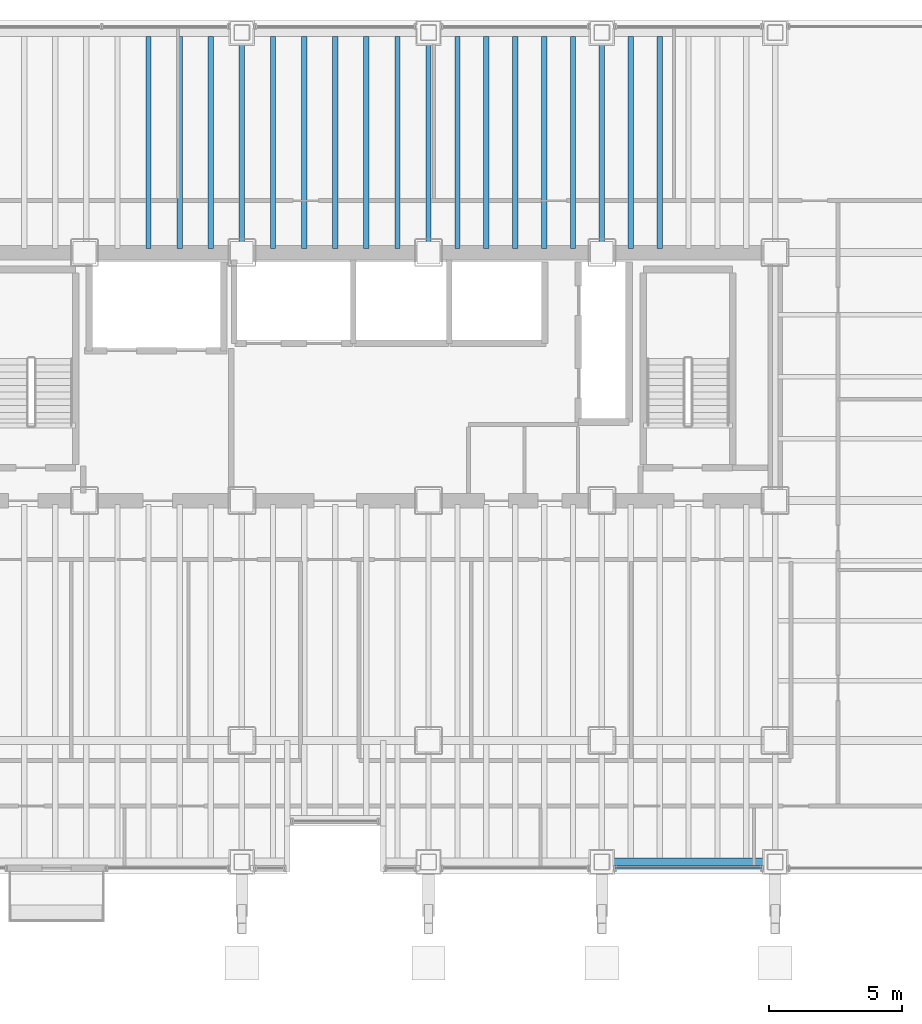
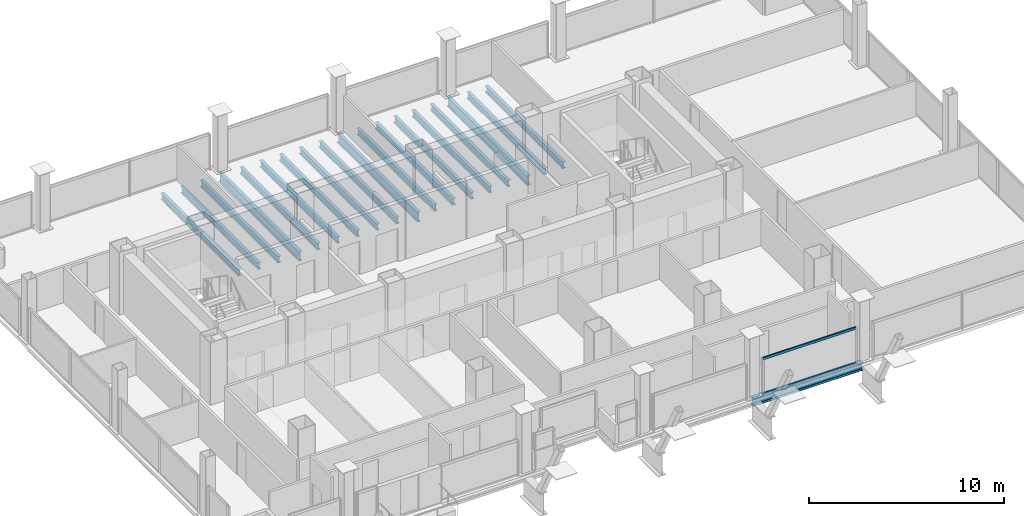
# One storey, part 7 of 21: 19 beams, 2 members, 1 element without a shape of its own.
"""IFC4 building model written with IfcOpenShell, lengths in metres."""

from ifc_helpers import new_model, si_unit, direction, frame, origin, origin_2d, place, context, subcontext, project, spatial, hollow_rectangle, i_section, extrude, material, material_profile, profile_set, type_object, element, aggregate, save


model = new_model("IFC4")

# Units and contexts
model_context = context("Model", 3, precision=1e-05, world=origin(), true_north=direction((0.0, 1.0)))
body_context = subcontext(model_context, "Body", "Model", "MODEL_VIEW")
ifc_project = project(units=[si_unit("LENGTHUNIT", "METRE"), si_unit("AREAUNIT", "SQUARE_METRE"), si_unit("VOLUMEUNIT", "CUBIC_METRE"), si_unit("PLANEANGLEUNIT", "RADIAN"), si_unit("MASSUNIT", "GRAM", prefix="KILO")], contexts=[model_context])

# Site, building, storey
site_placement = place(None, origin())
site = spatial("IfcSite", under=ifc_project, at=site_placement, CompositionType="ELEMENT")
building_placement = place(site_placement, origin())
building = spatial("IfcBuilding", under=site, at=building_placement, Name="Noeulbin Bourse Tower", CompositionType="ELEMENT")
storey_placement = place(building_placement, frame((0.0, 0.0, 77.199951171875)))
storey = spatial("IfcBuildingStorey", under=building, at=storey_placement, Name="L19", CompositionType="ELEMENT", Elevation=77.199951171875)

# Beams
ifc_material_1 = material(Name="Steel S355", Category="steel")
ifc_material_profile_1 = material_profile(ifc_material_1, i_section(OverallWidth=0.199951171875, OverallDepth=0.60009765625, WebThickness=0.010986328125, FlangeThickness=0.01708984375, FilletRadius=0.02197265625, at=origin_2d()), Name="H-600x200x11x17", Category="LoadBearing")
ifc_profile_set_1 = profile_set([ifc_material_profile_1], Name="Steel S355")
beam_type_1 = type_object("IfcBeamType", Name="BM-GRD-600", PredefinedType="USERDEFINED", material=ifc_profile_set_1)
for number, where, z_axis, x_axis, name in (
    (1, (24.0, 38.300048828125, -0.47998046875), (0.0, 1.0, 0.0), (-1.0, 0.0, 0.0), "Tower Primary Girder NS L19-2.4"),
    (2, (31.0, 38.300048828125, -0.47998046875), (0.0, 1.0, 0.0), (-1.0, 0.0, 0.0), "Tower Primary Girder NS L19-3.4"),
    (3, (37.5, 38.300048828125, -0.47998046875), (0.0, 1.0, 0.0), (-1.0, 0.0, 0.0), "Tower Primary Girder NS L19-4.4"),
):
    element("IfcBeam", number, at=place(storey_placement, frame(where, z_axis=z_axis, x_axis=x_axis)), inside=storey, type_object=beam_type_1, Name=name, ObjectType="GIRDER", PredefinedType="USERDEFINED", context=body_context, shape_type="SweptSolid", body=[
        extrude(i_section(OverallWidth=0.199951171875, OverallDepth=0.60009765625, WebThickness=0.010986328125, FlangeThickness=0.01708984375, FilletRadius=0.02197265625, at=origin_2d()), origin(), (0.0, 0.0, 1.0), 8.25),
    ])
ifc_material_profile_2 = material_profile(ifc_material_1, i_section(OverallWidth=0.199951171875, OverallDepth=0.39990234375, WebThickness=0.008056640625, FlangeThickness=0.012939453125, FilletRadius=0.01611328125, at=origin_2d()), Name="H-400x200x8x13", Category="LoadBearing")
ifc_profile_set_2 = profile_set([ifc_material_profile_2], Name="Steel S355")
beam_type_2 = type_object("IfcBeamType", Name="BM-SEC-400", PredefinedType="BEAM", material=ifc_profile_set_2)
for number, where, z_axis, x_axis, name in (
    (4, (20.5, 38.449951171875, -0.3798828125), (0.0, 1.0, 0.0), (-1.0, 0.0, 0.0), "Tower Composite Joist L19-18"),
    (5, (21.666748046875, 38.449951171875, -0.3798828125), (0.0, 1.0, 0.0), (-1.0, 0.0, 0.0), "Tower Composite Joist L19-21"),
    (6, (22.833251953125, 38.449951171875, -0.3798828125), (0.0, 1.0, 0.0), (-1.0, 0.0, 0.0), "Tower Composite Joist L19-24"),
    (7, (25.166748046875, 38.449951171875, -0.3798828125), (0.0, 1.0, 0.0), (-1.0, 0.0, 0.0), "Tower Composite Joist L19-27"),
    (8, (26.333251953125, 38.449951171875, -0.3798828125), (0.0, 1.0, 0.0), (-1.0, 0.0, 0.0), "Tower Composite Joist L19-30"),
    (9, (27.5, 38.449951171875, -0.3798828125), (0.0, 1.0, 0.0), (-1.0, 0.0, 0.0), "Tower Composite Joist L19-33"),
    (10, (28.666748046875, 38.449951171875, -0.3798828125), (0.0, 1.0, 0.0), (-1.0, 0.0, 0.0), "Tower Composite Joist L19-36"),
    (11, (29.833251953125, 38.449951171875, -0.3798828125), (0.0, 1.0, 0.0), (-1.0, 0.0, 0.0), "Tower Composite Joist L19-39"),
    (12, (32.083251953125, 38.449951171875, -0.3798828125), (0.0, 1.0, 0.0), (-1.0, 0.0, 0.0), "Tower Composite Joist L19-42"),
    (13, (33.166748046875, 38.449951171875, -0.3798828125), (0.0, 1.0, 0.0), (-1.0, 0.0, 0.0), "Tower Composite Joist L19-45"),
    (14, (34.25, 38.449951171875, -0.3798828125), (0.0, 1.0, 0.0), (-1.0, 0.0, 0.0), "Tower Composite Joist L19-48"),
    (15, (35.333251953125, 38.449951171875, -0.3798828125), (0.0, 1.0, 0.0), (-1.0, 0.0, 0.0), "Tower Composite Joist L19-51"),
    (16, (36.416748046875, 38.449951171875, -0.3798828125), (0.0, 1.0, 0.0), (-1.0, 0.0, 0.0), "Tower Composite Joist L19-54"),
    (17, (38.583251953125, 38.449951171875, -0.3798828125), (0.0, 1.0, 0.0), (-1.0, 0.0, 0.0), "Tower Composite Joist L19-57"),
    (18, (39.666748046875, 38.449951171875, -0.3798828125), (0.0, 1.0, 0.0), (-1.0, 0.0, 0.0), "Tower Composite Joist L19-60"),
):
    element("IfcBeam", number, at=place(storey_placement, frame(where, z_axis=z_axis, x_axis=x_axis)), inside=storey, type_object=beam_type_2, Name=name, PredefinedType="BEAM", context=body_context, shape_type="SweptSolid", body=[
        extrude(i_section(OverallWidth=0.199951171875, OverallDepth=0.39990234375, WebThickness=0.008056640625, FlangeThickness=0.012939453125, FilletRadius=0.01611328125, at=origin_2d()), origin(), (0.0, 0.0, 1.0), 7.949951171875),
    ])
ifc_material_profile_3 = material_profile(ifc_material_1, i_section(OverallWidth=0.300048828125, OverallDepth=0.488037109375, WebThickness=0.010986328125, FlangeThickness=0.01806640625, FilletRadius=0.02197265625, at=origin_2d()), Name="H-488x300x11x18", Category="LoadBearing")
ifc_profile_set_3 = profile_set([ifc_material_profile_3], Name="Steel S355")
beam_type_3 = type_object("IfcBeamType", Name="BM-SPN-488", PredefinedType="SPANDREL", material=ifc_profile_set_3)
beam_placement = place(storey_placement, frame((37.5, 15.449951171875, -0.424072265625), z_axis=(1.0, 0.0, 0.0), x_axis=(0.0, 1.0, 0.0)))
element("IfcBeam", 19, at=beam_placement, inside=storey, type_object=beam_type_3, Name="South Spandrel L19-4", PredefinedType="SPANDREL", context=body_context, shape_type="SweptSolid", body=[
    extrude(i_section(OverallWidth=0.300048828125, OverallDepth=0.488037109375, WebThickness=0.010986328125, FlangeThickness=0.01806640625, FilletRadius=0.02197265625, at=origin_2d()), origin(), (0.0, 0.0, 1.0), 6.5),
])

# Curtain wall, members
ifc_material_2 = material(Name="Dark Solar-Control Double Glazing", Category="glass")
curtain_wall_type = type_object("IfcCurtainWallType", Name="CW-SYS-2", PredefinedType="NOTDEFINED", material=ifc_material_2)
curtain_wall_placement = place(storey_placement, origin())
curtain_wall = element("IfcCurtainWall", 20, at=curtain_wall_placement, inside=storey, type_object=curtain_wall_type, Name="Unitised Curtain Wall CW-L19-S3-S3", PredefinedType="NOTDEFINED")
ifc_material_3 = material(Name="Anodised Aluminium 6063-T6", Category="aluminium")
ifc_material_profile_4 = material_profile(ifc_material_3, hollow_rectangle(XDim=0.074951171875, YDim=0.159912109375, WallThickness=0.0048828125, InnerFilletRadius=0.00244140625, OuterFilletRadius=0.0048828125, at=origin_2d()), Name="ALU-TRAN-75x160x5", Category="LoadBearing")
ifc_profile_set_4 = profile_set([ifc_material_profile_4], Name="Anodised Aluminium 6063-T6")
member_type = type_object("IfcMemberType", Name="CW-SYS-2-TRN", PredefinedType="USERDEFINED", material=ifc_profile_set_4)
member_1_placement = place(storey_placement, frame((38.010009765625, 15.219970703125, 0.010009765625), z_axis=(1.0, 0.0, 0.0), x_axis=(0.0, 1.0, 0.0)))
member_1 = element("IfcMember", 21, at=member_1_placement, type_object=member_type, Name="Curtain Wall Transom CW-L19-S3-S3-T00", ObjectType="TRANSOM", PredefinedType="USERDEFINED", context=body_context, shape_type="SweptSolid", body=[
    extrude(hollow_rectangle(XDim=0.074951171875, YDim=0.159912109375, WallThickness=0.0048828125, InnerFilletRadius=0.00244140625, OuterFilletRadius=0.0048828125, at=origin_2d()), origin(), (0.0, 0.0, 1.0), 5.47998046875),
])
member_2_placement = place(storey_placement, frame((38.010009765625, 15.219970703125, 2.2099609375), z_axis=(1.0, 0.0, 0.0), x_axis=(0.0, 1.0, 0.0)))
member_2 = element("IfcMember", 22, at=member_2_placement, type_object=member_type, Name="Curtain Wall Transom CW-L19-S3-S3-T01", ObjectType="TRANSOM", PredefinedType="USERDEFINED", context=body_context, shape_type="SweptSolid", body=[
    extrude(hollow_rectangle(XDim=0.074951171875, YDim=0.159912109375, WallThickness=0.0048828125, InnerFilletRadius=0.00244140625, OuterFilletRadius=0.0048828125, at=origin_2d()), origin(), (0.0, 0.0, 1.0), 5.47998046875),
])
aggregate(curtain_wall, [member_1, member_2])

save(model, "model.ifc")
